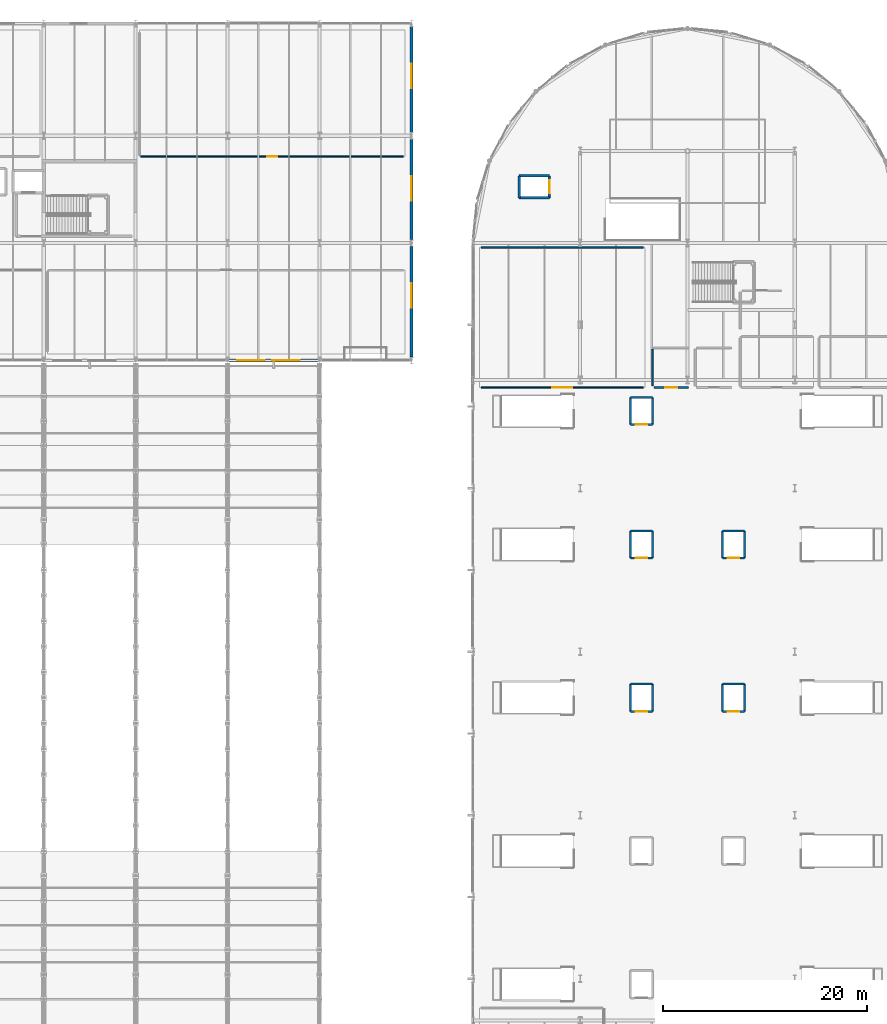
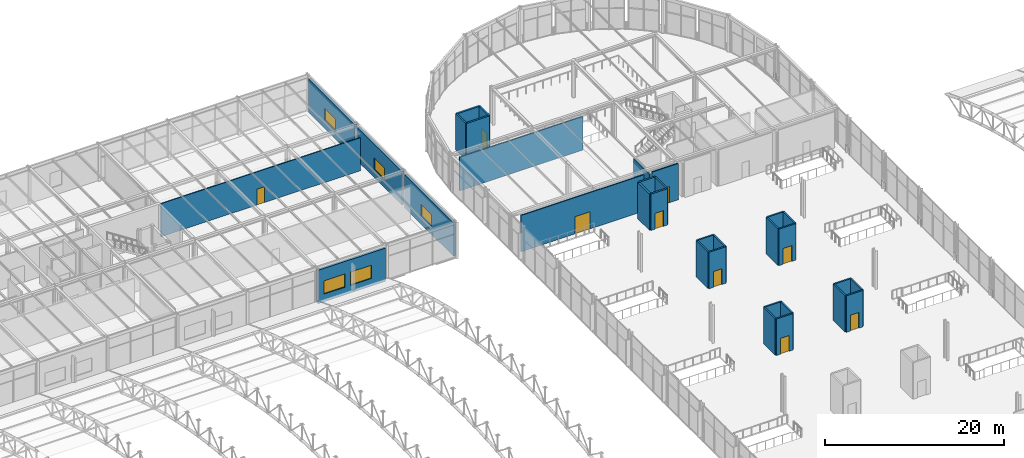
# One storey, part 111 of 195: 33 walls, 9 doors, 5 windows, 14 openings.
"""IFC4 building model written with IfcOpenShell, lengths in metres."""

from ifc_helpers import new_model, si_unit, direction, frame, frame_2d, origin, place, context, subcontext, project, spatial, rectangle, extrude, material, layer, layer_set, type_object, element, fill, save


model = new_model("IFC4")

# Units and contexts
model_context = context("Model", 3, precision=1e-05, world=origin(), true_north=direction((0.0, 1.0)))
body_context = subcontext(model_context, "Body", "Model", "MODEL_VIEW")
ifc_project = project(units=[si_unit("LENGTHUNIT", "METRE"), si_unit("AREAUNIT", "SQUARE_METRE"), si_unit("VOLUMEUNIT", "CUBIC_METRE"), si_unit("PLANEANGLEUNIT", "RADIAN"), si_unit("MASSUNIT", "GRAM", prefix="KILO")], contexts=[model_context])

# Site, building, storey
site_placement = place(None, origin())
site = spatial("IfcSite", under=ifc_project, at=site_placement, CompositionType="ELEMENT")
building_placement = place(site_placement, origin())
building = spatial("IfcBuilding", under=site, at=building_placement, Name="Marlcrest Central Station", CompositionType="ELEMENT")
storey_placement = place(building_placement, frame((0.0, 0.0, 9.800048828125)))
storey = spatial("IfcBuildingStorey", under=building, at=storey_placement, Name="L02", CompositionType="ELEMENT", Elevation=9.800048828125)

# Wall, openings, windows
ifc_material_1 = material(Name="Concrete C40/50", Category="concrete")
ifc_layer_1 = layer(ifc_material_1, 0.2900390625, Name="EW-02")
ifc_layer_set_1 = layer_set([ifc_layer_1], Name="Concrete C40/50")
wall_type_1 = type_object("IfcWallType", Name="EW-02", PredefinedType="SOLIDWALL", material=ifc_layer_set_1)
wall_1_placement = place(storey_placement, frame((71.85009765625, 99.0, 0.0), z_axis=(0.0, 0.0, 1.0), x_axis=(-1.0, 0.0, 0.0)))
wall_1 = element("IfcWall", 1, at=wall_1_placement, inside=storey, type_object=wall_type_1, Name="ewall-L02-0141", PredefinedType="SOLIDWALL", context=body_context, shape_type="SweptSolid", body=[
    extrude(rectangle(XDim=8.7001953125, YDim=0.2900390625, at=frame_2d((4.35009765625, 0.0))), origin(), (0.0, 0.0, 1.0), 4.550048828125),
])
opening_1_placement = place(wall_1_placement, frame((1.800048828125, 0.0, 1.050048828125)))
opening_1 = element("IfcOpeningElement", 2, at=opening_1_placement, cuts=wall_1, Name="Opening WN-06", PredefinedType="OPENING", context=body_context, shape_type="SweptSolid", body=[
    extrude(rectangle(XDim=2.699951171875, YDim=1.800048828125, at=frame_2d((1.35009765625, 0.89990234375))), frame((0.0, 0.155029296875, 0.0), z_axis=(0.0, -1.0, 0.0), x_axis=(1.0, 0.0, 0.0)), (0.0, 0.0, 1.0), 0.31005859375),
])
opening_2_placement = place(wall_1_placement, frame((5.199951171875, 0.0, 1.050048828125)))
opening_2 = element("IfcOpeningElement", 3, at=opening_2_placement, cuts=wall_1, Name="Opening WN-06", PredefinedType="OPENING", context=body_context, shape_type="SweptSolid", body=[
    extrude(rectangle(XDim=2.699951171875, YDim=1.800048828125, at=frame_2d((1.35009765625, 0.89990234375))), frame((0.0, 0.155029296875, 0.0), z_axis=(0.0, -1.0, 0.0), x_axis=(1.0, 0.0, 0.0)), (0.0, 0.0, 1.0), 0.31005859375),
])
ifc_material_2 = material(Name="Thermally broken bronze-anodised aluminium and laminated low-E glass", Category="aluminium")
window_type_1 = type_object("IfcWindowType", Name="WN-06", PartitioningType="SINGLE_PANEL", PredefinedType="WINDOW", material=ifc_material_2)
window_1_placement = place(opening_1_placement, origin())
window_1 = element("IfcWindow", 4, at=window_1_placement, inside=storey, type_object=window_type_1, Name="ewin-L02-0097", OverallHeight=1.800048828125, OverallWidth=2.699951171875, PartitioningType="SINGLE_PANEL", PredefinedType="WINDOW", context=body_context, shape_type="SweptSolid", body=[
    extrude(rectangle(XDim=2.699951171875, YDim=1.800048828125, at=frame_2d((1.35009765625, 0.89990234375))), frame((0.0, 0.030029296875, 0.0), z_axis=(0.0, -1.0, 0.0), x_axis=(1.0, 0.0, 0.0)), (0.0, 0.0, 1.0), 0.06005859375),
])
fill(opening_1, window_1)
window_2_placement = place(opening_2_placement, origin())
window_2 = element("IfcWindow", 5, at=window_2_placement, inside=storey, type_object=window_type_1, Name="ewin-L02-0098", OverallHeight=1.800048828125, OverallWidth=2.699951171875, PartitioningType="SINGLE_PANEL", PredefinedType="WINDOW", context=body_context, shape_type="SweptSolid", body=[
    extrude(rectangle(XDim=2.699951171875, YDim=1.800048828125, at=frame_2d((1.35009765625, 0.89990234375))), frame((0.0, 0.030029296875, 0.0), z_axis=(0.0, -1.0, 0.0), x_axis=(1.0, 0.0, 0.0)), (0.0, 0.0, 1.0), 0.06005859375),
])
fill(opening_2, window_2)

# Wall, opening, window
wall_2_placement = place(storey_placement, frame((81.0, 110.175048828125, 0.0), z_axis=(0.0, 0.0, 1.0), x_axis=(0.0, -1.0, 0.0)))
wall_2 = element("IfcWall", 6, at=wall_2_placement, inside=storey, type_object=wall_type_1, Name="ewall-L02-0145", PredefinedType="SOLIDWALL", context=body_context, shape_type="SweptSolid", body=[
    extrude(rectangle(XDim=10.85009765625, YDim=0.2900390625, at=frame_2d((5.425048828125, 0.0))), origin(), (0.0, 0.0, 1.0), 4.550048828125),
])
opening_3_placement = place(wall_2_placement, frame((3.625, 0.0, 1.10009765625)))
opening_3 = element("IfcOpeningElement", 7, at=opening_3_placement, cuts=wall_2, Name="Opening WN-02", PredefinedType="OPENING", context=body_context, shape_type="SweptSolid", body=[
    extrude(rectangle(XDim=2.39990234375, YDim=1.60009765625, at=frame_2d((1.199951171875, 0.800048828125))), frame((0.0, 0.155029296875, 0.0), z_axis=(0.0, -1.0, 0.0), x_axis=(1.0, 0.0, 0.0)), (0.0, 0.0, 1.0), 0.31005859375),
])
window_type_2 = type_object("IfcWindowType", Name="WN-02", PartitioningType="SINGLE_PANEL", PredefinedType="WINDOW", material=ifc_material_2)
window_3_placement = place(opening_3_placement, origin())
window_3 = element("IfcWindow", 8, at=window_3_placement, inside=storey, type_object=window_type_2, Name="ewin-L02-0101", OverallHeight=1.60009765625, OverallWidth=2.39990234375, PartitioningType="SINGLE_PANEL", PredefinedType="WINDOW", context=body_context, shape_type="SweptSolid", body=[
    extrude(rectangle(XDim=2.39990234375, YDim=1.60009765625, at=frame_2d((1.199951171875, 0.800048828125))), frame((0.0, 0.030029296875, 0.0), z_axis=(0.0, -1.0, 0.0), x_axis=(1.0, 0.0, 0.0)), (0.0, 0.0, 1.0), 0.06005859375),
])
fill(opening_3, window_3)

wall_3_placement = place(storey_placement, frame((81.0, 120.675048828125, 0.0), z_axis=(0.0, 0.0, 1.0), x_axis=(0.0, -1.0, 0.0)))
wall_3 = element("IfcWall", 9, at=wall_3_placement, inside=storey, type_object=wall_type_1, Name="ewall-L02-0146", PredefinedType="SOLIDWALL", context=body_context, shape_type="SweptSolid", body=[
    extrude(rectangle(XDim=9.85009765625, YDim=0.2900390625, at=frame_2d((4.925048828125, 0.0))), origin(), (0.0, 0.0, 1.0), 4.550048828125),
])
opening_4_placement = place(wall_3_placement, frame((3.625, 0.0, 1.10009765625)))
opening_4 = element("IfcOpeningElement", 10, at=opening_4_placement, cuts=wall_3, Name="Opening WN-02", PredefinedType="OPENING", context=body_context, shape_type="SweptSolid", body=[
    extrude(rectangle(XDim=2.39990234375, YDim=1.60009765625, at=frame_2d((1.199951171875, 0.800048828125))), frame((0.0, 0.155029296875, 0.0), z_axis=(0.0, -1.0, 0.0), x_axis=(1.0, 0.0, 0.0)), (0.0, 0.0, 1.0), 0.31005859375),
])
window_4_placement = place(opening_4_placement, origin())
window_4 = element("IfcWindow", 11, at=window_4_placement, inside=storey, type_object=window_type_2, Name="ewin-L02-0102", OverallHeight=1.60009765625, OverallWidth=2.39990234375, PartitioningType="SINGLE_PANEL", PredefinedType="WINDOW", context=body_context, shape_type="SweptSolid", body=[
    extrude(rectangle(XDim=2.39990234375, YDim=1.60009765625, at=frame_2d((1.199951171875, 0.800048828125))), frame((0.0, 0.030029296875, 0.0), z_axis=(0.0, -1.0, 0.0), x_axis=(1.0, 0.0, 0.0)), (0.0, 0.0, 1.0), 0.06005859375),
])
fill(opening_4, window_4)

wall_4_placement = place(storey_placement, frame((81.0, 131.675048828125, 0.0), z_axis=(0.0, 0.0, 1.0), x_axis=(0.0, -1.0, 0.0)))
wall_4 = element("IfcWall", 12, at=wall_4_placement, inside=storey, type_object=wall_type_1, Name="ewall-L02-0147", PredefinedType="SOLIDWALL", context=body_context, shape_type="SweptSolid", body=[
    extrude(rectangle(XDim=10.35009765625, YDim=0.2900390625, at=frame_2d((5.175048828125, 0.0))), origin(), (0.0, 0.0, 1.0), 4.550048828125),
])
opening_5_placement = place(wall_4_placement, frame((3.625, 0.0, 1.10009765625)))
opening_5 = element("IfcOpeningElement", 13, at=opening_5_placement, cuts=wall_4, Name="Opening WN-02", PredefinedType="OPENING", context=body_context, shape_type="SweptSolid", body=[
    extrude(rectangle(XDim=2.39990234375, YDim=1.60009765625, at=frame_2d((1.199951171875, 0.800048828125))), frame((0.0, 0.155029296875, 0.0), z_axis=(0.0, -1.0, 0.0), x_axis=(1.0, 0.0, 0.0)), (0.0, 0.0, 1.0), 0.31005859375),
])
window_5_placement = place(opening_5_placement, origin())
window_5 = element("IfcWindow", 14, at=window_5_placement, inside=storey, type_object=window_type_2, Name="ewin-L02-0103", OverallHeight=1.60009765625, OverallWidth=2.39990234375, PartitioningType="SINGLE_PANEL", PredefinedType="WINDOW", context=body_context, shape_type="SweptSolid", body=[
    extrude(rectangle(XDim=2.39990234375, YDim=1.60009765625, at=frame_2d((1.199951171875, 0.800048828125))), frame((0.0, 0.030029296875, 0.0), z_axis=(0.0, -1.0, 0.0), x_axis=(1.0, 0.0, 0.0)), (0.0, 0.0, 1.0), 0.06005859375),
])
fill(opening_5, window_5)

# Wall, opening, door
ifc_material_3 = material(Name="Acoustic steel-stud gypsum board partition", Category="steel")
ifc_layer_2 = layer(ifc_material_3, 0.1201171875, Name="PT-01")
ifc_layer_set_2 = layer_set([ifc_layer_2], Name="Acoustic steel-stud gypsum board partition")
wall_type_2 = type_object("IfcWallType", Name="PT-01", PredefinedType="PARTITIONING", material=ifc_layer_set_2)
wall_5_placement = place(storey_placement, frame((80.18994140625, 118.9599609375, 0.0), z_axis=(0.0, 0.0, 1.0), x_axis=(-1.0, 0.0, 0.0)))
wall_5 = element("IfcWall", 15, at=wall_5_placement, inside=storey, type_object=wall_type_2, Name="iwall-L02-00152", PredefinedType="PARTITIONING", context=body_context, shape_type="SweptSolid", body=[
    extrude(rectangle(XDim=25.679931640625, YDim=0.1201171875, at=frame_2d((12.83984375, 0.0))), origin(), (0.0, 0.0, 1.0), 4.5048828125),
])
opening_6_placement = place(wall_5_placement, frame((12.340087890625, 0.0, 0.0)))
opening_6 = element("IfcOpeningElement", 16, at=opening_6_placement, cuts=wall_5, Name="Opening ID-02", PredefinedType="OPENING", context=body_context, shape_type="SweptSolid", body=[
    extrude(rectangle(XDim=1.0, YDim=2.14990234375, at=frame_2d((0.5, 1.074951171875))), frame((0.0, 0.070068359375, 0.0), z_axis=(0.0, -1.0, 0.0), x_axis=(1.0, 0.0, 0.0)), (0.0, 0.0, 1.0), 0.14013671875),
])
ifc_material_4 = material(Name="Solid-core hardwood office door", Category="wood")
door_type_1 = type_object("IfcDoorType", Name="ID-02", OperationType="NOTDEFINED", PredefinedType="DOOR", material=ifc_material_4)
door_1_placement = place(opening_6_placement, origin())
door_1 = element("IfcDoor", 17, at=door_1_placement, inside=storey, type_object=door_type_1, Name="L02-V5F 0087", OperationType="SINGLE_SWING_LEFT", OverallHeight=2.14990234375, OverallWidth=1.0, PredefinedType="DOOR", context=body_context, shape_type="SweptSolid", body=[
    extrude(rectangle(XDim=1.0, YDim=2.14990234375, at=frame_2d((0.5, 1.074951171875))), frame((0.0, 0.02490234375, 0.0), z_axis=(0.0, -1.0, 0.0), x_axis=(1.0, 0.0, 0.0)), (0.0, 0.0, 1.0), 0.050048828125),
])
fill(opening_6, door_1)

ifc_material_5 = material(Name="Acoustic double-stud partition")
ifc_layer_3 = layer(ifc_material_5, 0.139892578125, Name="PT-02")
ifc_layer_set_3 = layer_set([ifc_layer_3], Name="Acoustic double-stud partition")
wall_type_3 = type_object("IfcWallType", Name="PT-02", PredefinedType="PARTITIONING", material=ifc_layer_set_3)
wall_6_placement = place(storey_placement, frame((103.68994140625, 96.360107421875, 0.0), z_axis=(0.0, 0.0, 1.0), x_axis=(-1.0, 0.0, 0.0)))
wall_6 = element("IfcWall", 18, at=wall_6_placement, inside=storey, type_object=wall_type_3, Name="iwall-L02-00118", PredefinedType="PARTITIONING", context=body_context, shape_type="SweptSolid", body=[
    extrude(rectangle(XDim=15.8798828125, YDim=0.139892578125, at=frame_2d((7.93994140625, 0.0))), origin(), (0.0, 0.0, 1.0), 4.949951171875),
])
opening_7_placement = place(wall_6_placement, frame((6.965087890625, 0.0, 0.0)))
opening_7 = element("IfcOpeningElement", 19, at=opening_7_placement, cuts=wall_6, Name="Opening ID-11", PredefinedType="OPENING", context=body_context, shape_type="SweptSolid", body=[
    extrude(rectangle(XDim=1.949951171875, YDim=2.35009765625, at=frame_2d((0.97509765625, 1.175048828125))), frame((0.0, 0.079833984375, 0.0), z_axis=(0.0, -1.0, 0.0), x_axis=(1.0, 0.0, 0.0)), (0.0, 0.0, 1.0), 0.159912109375),
])
ifc_material_6 = material(Name="Double waiting lounge glazed door")
door_type_2 = type_object("IfcDoorType", Name="ID-11", OperationType="DOUBLE_DOOR_SINGLE_SWING", PredefinedType="DOOR", material=ifc_material_6)
door_2_placement = place(opening_7_placement, origin())
door_2 = element("IfcDoor", 20, at=door_2_placement, inside=storey, type_object=door_type_2, Name="L02-V2D 0070", OperationType="DOUBLE_DOOR_SINGLE_SWING", OverallHeight=2.35009765625, OverallWidth=1.949951171875, PredefinedType="DOOR", context=body_context, shape_type="SweptSolid", body=[
    extrude(rectangle(XDim=1.949951171875, YDim=2.35009765625, at=frame_2d((0.97509765625, 1.175048828125))), frame((0.0, 0.02490234375, 0.0), z_axis=(0.0, -1.0, 0.0), x_axis=(1.0, 0.0, 0.0)), (0.0, 0.0, 1.0), 0.050048828125),
])
fill(opening_7, door_2)

# Wall
wall_7_placement = place(storey_placement, frame((87.81005859375, 110.0400390625, 0.0), z_axis=(0.0, 0.0, 1.0), x_axis=(1.0, 0.0, 0.0)))
element("IfcWall", 21, at=wall_7_placement, inside=storey, type_object=wall_type_3, Name="iwall-L02-00119", PredefinedType="PARTITIONING", context=body_context, shape_type="SweptSolid", body=[
    extrude(rectangle(XDim=15.8798828125, YDim=0.139892578125, at=frame_2d((7.93994140625, 0.0))), origin(), (0.0, 0.0, 1.0), 4.574951171875),
])

# Wall, opening, door
ifc_material_7 = material(Name="Moisture-resistant tiled sanitary partition")
ifc_layer_4 = layer(ifc_material_7, 0.159912109375, Name="PT-03")
ifc_layer_set_4 = layer_set([ifc_layer_4], Name="Moisture-resistant tiled sanitary partition")
wall_type_4 = type_object("IfcWallType", Name="PT-03", PredefinedType="PARTITIONING", material=ifc_layer_set_4)
wall_8_placement = place(storey_placement, frame((108.090087890625, 96.360107421875, 0.0), z_axis=(0.0, 0.0, 1.0), x_axis=(-1.0, 0.0, 0.0)))
wall_8 = element("IfcWall", 22, at=wall_8_placement, inside=storey, type_object=wall_type_4, Name="iwall-L02-00120", PredefinedType="PARTITIONING", context=body_context, shape_type="SweptSolid", body=[
    extrude(rectangle(XDim=3.380126953125, YDim=0.159912109375, at=frame_2d((1.68994140625, 0.0))), origin(), (0.0, 0.0, 1.0), 4.949951171875),
])
opening_8_placement = place(wall_8_placement, frame((1.114990234375, 0.0, 0.0)))
opening_8 = element("IfcOpeningElement", 23, at=opening_8_placement, cuts=wall_8, Name="Opening ID-04", PredefinedType="OPENING", context=body_context, shape_type="SweptSolid", body=[
    extrude(rectangle(XDim=1.14990234375, YDim=2.199951171875, at=frame_2d((0.574951171875, 1.10009765625))), frame((0.0, 0.08984375, 0.0), z_axis=(0.0, -1.0, 0.0), x_axis=(1.0, 0.0, 0.0)), (0.0, 0.0, 1.0), 0.179931640625),
])
ifc_material_8 = material(Name="Changing Places wide accessible door")
door_type_3 = type_object("IfcDoorType", Name="ID-04", OperationType="NOTDEFINED", PredefinedType="DOOR", material=ifc_material_8)
door_3_placement = place(opening_8_placement, origin())
door_3 = element("IfcDoor", 24, at=door_3_placement, inside=storey, type_object=door_type_3, Name="L02-CPW 0071", OperationType="SINGLE_SWING_RIGHT", OverallHeight=2.199951171875, OverallWidth=1.14990234375, PredefinedType="DOOR", context=body_context, shape_type="SweptSolid", body=[
    extrude(rectangle(XDim=1.14990234375, YDim=2.199951171875, at=frame_2d((0.574951171875, 1.10009765625))), frame((0.0, 0.02490234375, 0.0), z_axis=(0.0, -1.0, 0.0), x_axis=(1.0, 0.0, 0.0)), (0.0, 0.0, 1.0), 0.050048828125),
])
fill(opening_8, door_3)

# Walls
wall_9_placement = place(storey_placement, frame((104.56005859375, 96.510009765625, 0.0), z_axis=(0.0, 0.0, 1.0), x_axis=(0.0, 1.0, 0.0)))
element("IfcWall", 25, at=wall_9_placement, inside=storey, type_object=wall_type_4, Name="iwall-L02-00121", PredefinedType="PARTITIONING", context=body_context, shape_type="SweptSolid", body=[
    extrude(rectangle(XDim=3.580078125, YDim=0.159912109375, at=frame_2d((1.7900390625, 0.0))), origin(), (0.0, 0.0, 1.0), 4.574951171875),
])
ifc_layer_5 = layer(ifc_material_1, 0.22998046875, Name="SHW-01")
ifc_layer_set_5 = layer_set([ifc_layer_5], Name="Concrete C40/50")
wall_type_5 = type_object("IfcWallType", Name="SHW-01", PredefinedType="SOLIDWALL", material=ifc_layer_set_5)
for number, where, z_axis, x_axis, name in (
    (26, (91.52001953125, 117.080078125, 0.0), (0.0, 0.0, 1.0), (1.0, 0.0, 0.0), "iwall-L02-00307"),
    (27, (94.47998046875, 114.919921875, 0.0), (0.0, 0.0, 1.0), (-1.0, 0.0, 0.0), "iwall-L02-00308"),
):
    element("IfcWall", number, at=place(storey_placement, frame(where, z_axis=z_axis, x_axis=x_axis)), inside=storey, type_object=wall_type_5, Name=name, PredefinedType="SOLIDWALL", context=body_context, shape_type="SweptSolid", body=[
        extrude(rectangle(XDim=2.9599609375, YDim=0.22998046875, at=frame_2d((1.47998046875, 0.0))), origin(), (0.0, 0.0, 1.0), 4.9599609375),
    ])
wall_10_placement = place(storey_placement, frame((91.52001953125, 114.919921875, 0.0), z_axis=(0.0, 0.0, 1.0), x_axis=(0.0, 1.0, 0.0)))
element("IfcWall", 28, at=wall_10_placement, inside=storey, type_object=wall_type_5, Name="iwall-L02-00309", PredefinedType="SOLIDWALL", context=body_context, shape_type="SweptSolid", body=[
    extrude(rectangle(XDim=2.16015625, YDim=0.22998046875, at=frame_2d((1.080078125, 0.0))), origin(), (0.0, 0.0, 1.0), 4.9599609375),
])

# Wall, opening, door
wall_11_placement = place(storey_placement, frame((94.47998046875, 117.080078125, 0.0), z_axis=(0.0, 0.0, 1.0), x_axis=(0.0, -1.0, 0.0)))
wall_11 = element("IfcWall", 29, at=wall_11_placement, inside=storey, type_object=wall_type_5, Name="iwall-L02-00310", PredefinedType="SOLIDWALL", context=body_context, shape_type="SweptSolid", body=[
    extrude(rectangle(XDim=2.16015625, YDim=0.22998046875, at=frame_2d((1.080078125, 0.0))), origin(), (0.0, 0.0, 1.0), 4.9599609375),
])
opening_9_placement = place(wall_11_placement, frame((0.455078125, 0.0, 0.0)))
opening_9 = element("IfcOpeningElement", 30, at=opening_9_placement, cuts=wall_11, Name="Opening LD-02", PredefinedType="OPENING", context=body_context, shape_type="SweptSolid", body=[
    extrude(rectangle(XDim=1.25, YDim=2.199951171875, at=frame_2d((0.625, 1.10009765625))), frame((0.0, 0.125, 0.0), z_axis=(0.0, -1.0, 0.0), x_axis=(1.0, 0.0, 0.0)), (0.0, 0.0, 1.0), 0.25),
])
ifc_material_9 = material(Name="Stainless steel stretcher/firefighting lift landing door", Category="steel")
door_type_4 = type_object("IfcDoorType", Name="LD-02", OperationType="DOUBLE_DOOR_SLIDING", PredefinedType="DOOR", material=ifc_material_9)
door_4_placement = place(opening_9_placement, origin())
door_4 = element("IfcDoor", 31, at=door_4_placement, inside=storey, type_object=door_type_4, Name="LF-C2 Lift Landing Door 0147", OperationType="DOUBLE_DOOR_SLIDING", OverallHeight=2.199951171875, OverallWidth=1.25, PredefinedType="DOOR", context=body_context, shape_type="SweptSolid", body=[
    extrude(rectangle(XDim=1.25, YDim=2.199951171875, at=frame_2d((0.625, 1.10009765625))), frame((0.0, 0.02490234375, 0.0), z_axis=(0.0, -1.0, 0.0), x_axis=(1.0, 0.0, 0.0)), (0.0, 0.0, 1.0), 0.050048828125),
])
fill(opening_9, door_4)

# Wall
ifc_material_10 = material(Name="Concrete C35/45", Category="concrete")
ifc_layer_6 = layer(ifc_material_10, 0.205078125, Name="SHW-03")
ifc_layer_set_6 = layer_set([ifc_layer_6], Name="Concrete C35/45")
wall_type_6 = type_object("IfcWallType", Name="SHW-03", PredefinedType="SOLIDWALL", material=ifc_layer_set_6)
wall_12_placement = place(storey_placement, frame((102.419921875, 67.330078125, 0.0), z_axis=(0.0, 0.0, 1.0), x_axis=(1.0, 0.0, 0.0)))
element("IfcWall", 32, at=wall_12_placement, inside=storey, type_object=wall_type_6, Name="iwall-L02-00251", PredefinedType="SOLIDWALL", context=body_context, shape_type="SweptSolid", body=[
    extrude(rectangle(XDim=2.16015625, YDim=0.205078125, at=frame_2d((1.080078125, 0.0))), origin(), (0.0, 0.0, 1.0), 4.9599609375),
])

# Wall, opening, door
wall_13_placement = place(storey_placement, frame((104.580078125, 64.669921875, 0.0), z_axis=(0.0, 0.0, 1.0), x_axis=(-1.0, 0.0, 0.0)))
wall_13 = element("IfcWall", 33, at=wall_13_placement, inside=storey, type_object=wall_type_6, Name="iwall-L02-00252", PredefinedType="SOLIDWALL", context=body_context, shape_type="SweptSolid", body=[
    extrude(rectangle(XDim=2.16015625, YDim=0.205078125, at=frame_2d((1.080078125, 0.0))), origin(), (0.0, 0.0, 1.0), 4.9599609375),
])
opening_10_placement = place(wall_13_placement, frame((0.530029296875, 0.0, 0.0)))
opening_10 = element("IfcOpeningElement", 34, at=opening_10_placement, cuts=wall_13, Name="Opening LD-01", PredefinedType="OPENING", context=body_context, shape_type="SweptSolid", body=[
    extrude(rectangle(XDim=1.10009765625, YDim=2.14990234375, at=frame_2d((0.550048828125, 1.074951171875))), frame((0.0, 0.112548828125, 0.0), z_axis=(0.0, -1.0, 0.0), x_axis=(1.0, 0.0, 0.0)), (0.0, 0.0, 1.0), 0.22509765625),
])
ifc_material_11 = material(Name="Stainless steel sliding passenger lift landing door", Category="steel")
door_type_5 = type_object("IfcDoorType", Name="LD-01", OperationType="DOUBLE_DOOR_SLIDING", PredefinedType="DOOR", material=ifc_material_11)
door_5_placement = place(opening_10_placement, origin())
door_5 = element("IfcDoor", 35, at=door_5_placement, inside=storey, type_object=door_type_5, Name="LF-P4 Lift Landing Door 0133", OperationType="DOUBLE_DOOR_SLIDING", OverallHeight=2.14990234375, OverallWidth=1.10009765625, PredefinedType="DOOR", context=body_context, shape_type="SweptSolid", body=[
    extrude(rectangle(XDim=1.10009765625, YDim=2.14990234375, at=frame_2d((0.550048828125, 1.074951171875))), frame((0.0, 0.02490234375, 0.0), z_axis=(0.0, -1.0, 0.0), x_axis=(1.0, 0.0, 0.0)), (0.0, 0.0, 1.0), 0.050048828125),
])
fill(opening_10, door_5)

# Walls
for number, where, z_axis, x_axis, name in (
    (36, (102.419921875, 64.669921875, 0.0), (0.0, 0.0, 1.0), (0.0, 1.0, 0.0), "iwall-L02-00253"),
    (37, (104.580078125, 67.330078125, 0.0), (0.0, 0.0, 1.0), (0.0, -1.0, 0.0), "iwall-L02-00254"),
):
    element("IfcWall", number, at=place(storey_placement, frame(where, z_axis=z_axis, x_axis=x_axis)), inside=storey, type_object=wall_type_6, Name=name, PredefinedType="SOLIDWALL", context=body_context, shape_type="SweptSolid", body=[
        extrude(rectangle(XDim=2.66015625, YDim=0.205078125, at=frame_2d((1.330078125, 0.0))), origin(), (0.0, 0.0, 1.0), 4.9599609375),
    ])
wall_14_placement = place(storey_placement, frame((111.419921875, 67.330078125, 0.0), z_axis=(0.0, 0.0, 1.0), x_axis=(1.0, 0.0, 0.0)))
element("IfcWall", 38, at=wall_14_placement, inside=storey, type_object=wall_type_6, Name="iwall-L02-00259", PredefinedType="SOLIDWALL", context=body_context, shape_type="SweptSolid", body=[
    extrude(rectangle(XDim=2.16015625, YDim=0.205078125, at=frame_2d((1.080078125, 0.0))), origin(), (0.0, 0.0, 1.0), 4.9599609375),
])

# Wall, opening, door
wall_15_placement = place(storey_placement, frame((113.580078125, 64.669921875, 0.0), z_axis=(0.0, 0.0, 1.0), x_axis=(-1.0, 0.0, 0.0)))
wall_15 = element("IfcWall", 39, at=wall_15_placement, inside=storey, type_object=wall_type_6, Name="iwall-L02-00260", PredefinedType="SOLIDWALL", context=body_context, shape_type="SweptSolid", body=[
    extrude(rectangle(XDim=2.16015625, YDim=0.205078125, at=frame_2d((1.080078125, 0.0))), origin(), (0.0, 0.0, 1.0), 4.9599609375),
])
opening_11_placement = place(wall_15_placement, frame((0.530029296875, 0.0, 0.0)))
opening_11 = element("IfcOpeningElement", 40, at=opening_11_placement, cuts=wall_15, Name="Opening LD-01", PredefinedType="OPENING", context=body_context, shape_type="SweptSolid", body=[
    extrude(rectangle(XDim=1.10009765625, YDim=2.14990234375, at=frame_2d((0.550048828125, 1.074951171875))), frame((0.0, 0.112548828125, 0.0), z_axis=(0.0, -1.0, 0.0), x_axis=(1.0, 0.0, 0.0)), (0.0, 0.0, 1.0), 0.22509765625),
])
door_6_placement = place(opening_11_placement, origin())
door_6 = element("IfcDoor", 41, at=door_6_placement, inside=storey, type_object=door_type_5, Name="LF-P5 Lift Landing Door 0135", OperationType="DOUBLE_DOOR_SLIDING", OverallHeight=2.14990234375, OverallWidth=1.10009765625, PredefinedType="DOOR", context=body_context, shape_type="SweptSolid", body=[
    extrude(rectangle(XDim=1.10009765625, YDim=2.14990234375, at=frame_2d((0.550048828125, 1.074951171875))), frame((0.0, 0.02490234375, 0.0), z_axis=(0.0, -1.0, 0.0), x_axis=(1.0, 0.0, 0.0)), (0.0, 0.0, 1.0), 0.050048828125),
])
fill(opening_11, door_6)

# Walls
for number, where, z_axis, x_axis, name in (
    (42, (111.419921875, 64.669921875, 0.0), (0.0, 0.0, 1.0), (0.0, 1.0, 0.0), "iwall-L02-00261"),
    (43, (113.580078125, 67.330078125, 0.0), (0.0, 0.0, 1.0), (0.0, -1.0, 0.0), "iwall-L02-00262"),
):
    element("IfcWall", number, at=place(storey_placement, frame(where, z_axis=z_axis, x_axis=x_axis)), inside=storey, type_object=wall_type_6, Name=name, PredefinedType="SOLIDWALL", context=body_context, shape_type="SweptSolid", body=[
        extrude(rectangle(XDim=2.66015625, YDim=0.205078125, at=frame_2d((1.330078125, 0.0))), origin(), (0.0, 0.0, 1.0), 4.9599609375),
    ])
wall_16_placement = place(storey_placement, frame((102.419921875, 82.330078125, 0.0), z_axis=(0.0, 0.0, 1.0), x_axis=(1.0, 0.0, 0.0)))
element("IfcWall", 44, at=wall_16_placement, inside=storey, type_object=wall_type_6, Name="iwall-L02-00267", PredefinedType="SOLIDWALL", context=body_context, shape_type="SweptSolid", body=[
    extrude(rectangle(XDim=2.16015625, YDim=0.205078125, at=frame_2d((1.080078125, 0.0))), origin(), (0.0, 0.0, 1.0), 4.9599609375),
])

# Wall, opening, door
wall_17_placement = place(storey_placement, frame((104.580078125, 79.669921875, 0.0), z_axis=(0.0, 0.0, 1.0), x_axis=(-1.0, 0.0, 0.0)))
wall_17 = element("IfcWall", 45, at=wall_17_placement, inside=storey, type_object=wall_type_6, Name="iwall-L02-00268", PredefinedType="SOLIDWALL", context=body_context, shape_type="SweptSolid", body=[
    extrude(rectangle(XDim=2.16015625, YDim=0.205078125, at=frame_2d((1.080078125, 0.0))), origin(), (0.0, 0.0, 1.0), 4.9599609375),
])
opening_12_placement = place(wall_17_placement, frame((0.530029296875, 0.0, 0.0)))
opening_12 = element("IfcOpeningElement", 46, at=opening_12_placement, cuts=wall_17, Name="Opening LD-01", PredefinedType="OPENING", context=body_context, shape_type="SweptSolid", body=[
    extrude(rectangle(XDim=1.10009765625, YDim=2.14990234375, at=frame_2d((0.550048828125, 1.074951171875))), frame((0.0, 0.112548828125, 0.0), z_axis=(0.0, -1.0, 0.0), x_axis=(1.0, 0.0, 0.0)), (0.0, 0.0, 1.0), 0.22509765625),
])
door_7_placement = place(opening_12_placement, origin())
door_7 = element("IfcDoor", 47, at=door_7_placement, inside=storey, type_object=door_type_5, Name="LF-P6 Lift Landing Door 0137", OperationType="DOUBLE_DOOR_SLIDING", OverallHeight=2.14990234375, OverallWidth=1.10009765625, PredefinedType="DOOR", context=body_context, shape_type="SweptSolid", body=[
    extrude(rectangle(XDim=1.10009765625, YDim=2.14990234375, at=frame_2d((0.550048828125, 1.074951171875))), frame((0.0, 0.02490234375, 0.0), z_axis=(0.0, -1.0, 0.0), x_axis=(1.0, 0.0, 0.0)), (0.0, 0.0, 1.0), 0.050048828125),
])
fill(opening_12, door_7)

# Walls
for number, where, z_axis, x_axis, name in (
    (48, (102.419921875, 79.669921875, 0.0), (0.0, 0.0, 1.0), (0.0, 1.0, 0.0), "iwall-L02-00269"),
    (49, (104.580078125, 82.330078125, 0.0), (0.0, 0.0, 1.0), (0.0, -1.0, 0.0), "iwall-L02-00270"),
):
    element("IfcWall", number, at=place(storey_placement, frame(where, z_axis=z_axis, x_axis=x_axis)), inside=storey, type_object=wall_type_6, Name=name, PredefinedType="SOLIDWALL", context=body_context, shape_type="SweptSolid", body=[
        extrude(rectangle(XDim=2.66015625, YDim=0.205078125, at=frame_2d((1.330078125, 0.0))), origin(), (0.0, 0.0, 1.0), 4.9599609375),
    ])
wall_18_placement = place(storey_placement, frame((111.419921875, 82.330078125, 0.0), z_axis=(0.0, 0.0, 1.0), x_axis=(1.0, 0.0, 0.0)))
element("IfcWall", 50, at=wall_18_placement, inside=storey, type_object=wall_type_6, Name="iwall-L02-00275", PredefinedType="SOLIDWALL", context=body_context, shape_type="SweptSolid", body=[
    extrude(rectangle(XDim=2.16015625, YDim=0.205078125, at=frame_2d((1.080078125, 0.0))), origin(), (0.0, 0.0, 1.0), 4.9599609375),
])

# Wall, opening, door
wall_19_placement = place(storey_placement, frame((113.580078125, 79.669921875, 0.0), z_axis=(0.0, 0.0, 1.0), x_axis=(-1.0, 0.0, 0.0)))
wall_19 = element("IfcWall", 51, at=wall_19_placement, inside=storey, type_object=wall_type_6, Name="iwall-L02-00276", PredefinedType="SOLIDWALL", context=body_context, shape_type="SweptSolid", body=[
    extrude(rectangle(XDim=2.16015625, YDim=0.205078125, at=frame_2d((1.080078125, 0.0))), origin(), (0.0, 0.0, 1.0), 4.9599609375),
])
opening_13_placement = place(wall_19_placement, frame((0.530029296875, 0.0, 0.0)))
opening_13 = element("IfcOpeningElement", 52, at=opening_13_placement, cuts=wall_19, Name="Opening LD-01", PredefinedType="OPENING", context=body_context, shape_type="SweptSolid", body=[
    extrude(rectangle(XDim=1.10009765625, YDim=2.14990234375, at=frame_2d((0.550048828125, 1.074951171875))), frame((0.0, 0.112548828125, 0.0), z_axis=(0.0, -1.0, 0.0), x_axis=(1.0, 0.0, 0.0)), (0.0, 0.0, 1.0), 0.22509765625),
])
door_8_placement = place(opening_13_placement, origin())
door_8 = element("IfcDoor", 53, at=door_8_placement, inside=storey, type_object=door_type_5, Name="LF-P7 Lift Landing Door 0139", OperationType="DOUBLE_DOOR_SLIDING", OverallHeight=2.14990234375, OverallWidth=1.10009765625, PredefinedType="DOOR", context=body_context, shape_type="SweptSolid", body=[
    extrude(rectangle(XDim=1.10009765625, YDim=2.14990234375, at=frame_2d((0.550048828125, 1.074951171875))), frame((0.0, 0.02490234375, 0.0), z_axis=(0.0, -1.0, 0.0), x_axis=(1.0, 0.0, 0.0)), (0.0, 0.0, 1.0), 0.050048828125),
])
fill(opening_13, door_8)

# Walls
for number, where, z_axis, x_axis, name in (
    (54, (111.419921875, 79.669921875, 0.0), (0.0, 0.0, 1.0), (0.0, 1.0, 0.0), "iwall-L02-00277"),
    (55, (113.580078125, 82.330078125, 0.0), (0.0, 0.0, 1.0), (0.0, -1.0, 0.0), "iwall-L02-00278"),
):
    element("IfcWall", number, at=place(storey_placement, frame(where, z_axis=z_axis, x_axis=x_axis)), inside=storey, type_object=wall_type_6, Name=name, PredefinedType="SOLIDWALL", context=body_context, shape_type="SweptSolid", body=[
        extrude(rectangle(XDim=2.66015625, YDim=0.205078125, at=frame_2d((1.330078125, 0.0))), origin(), (0.0, 0.0, 1.0), 4.9599609375),
    ])
wall_20_placement = place(storey_placement, frame((102.419921875, 95.3798828125, 0.0), z_axis=(0.0, 0.0, 1.0), x_axis=(1.0, 0.0, 0.0)))
element("IfcWall", 56, at=wall_20_placement, inside=storey, type_object=wall_type_6, Name="iwall-L02-00283", PredefinedType="SOLIDWALL", context=body_context, shape_type="SweptSolid", body=[
    extrude(rectangle(XDim=2.16015625, YDim=0.205078125, at=frame_2d((1.080078125, 0.0))), origin(), (0.0, 0.0, 1.0), 4.9599609375),
])

# Wall, opening, door
wall_21_placement = place(storey_placement, frame((104.580078125, 92.719970703125, 0.0), z_axis=(0.0, 0.0, 1.0), x_axis=(-1.0, 0.0, 0.0)))
wall_21 = element("IfcWall", 57, at=wall_21_placement, inside=storey, type_object=wall_type_6, Name="iwall-L02-00284", PredefinedType="SOLIDWALL", context=body_context, shape_type="SweptSolid", body=[
    extrude(rectangle(XDim=2.16015625, YDim=0.205078125, at=frame_2d((1.080078125, 0.0))), origin(), (0.0, 0.0, 1.0), 4.9599609375),
])
opening_14_placement = place(wall_21_placement, frame((0.530029296875, 0.0, 0.0)))
opening_14 = element("IfcOpeningElement", 58, at=opening_14_placement, cuts=wall_21, Name="Opening LD-01", PredefinedType="OPENING", context=body_context, shape_type="SweptSolid", body=[
    extrude(rectangle(XDim=1.10009765625, YDim=2.14990234375, at=frame_2d((0.550048828125, 1.074951171875))), frame((0.0, 0.112548828125, 0.0), z_axis=(0.0, -1.0, 0.0), x_axis=(1.0, 0.0, 0.0)), (0.0, 0.0, 1.0), 0.22509765625),
])
door_9_placement = place(opening_14_placement, origin())
door_9 = element("IfcDoor", 59, at=door_9_placement, inside=storey, type_object=door_type_5, Name="LF-P8 Lift Landing Door 0141", OperationType="DOUBLE_DOOR_SLIDING", OverallHeight=2.14990234375, OverallWidth=1.10009765625, PredefinedType="DOOR", context=body_context, shape_type="SweptSolid", body=[
    extrude(rectangle(XDim=1.10009765625, YDim=2.14990234375, at=frame_2d((0.550048828125, 1.074951171875))), frame((0.0, 0.02490234375, 0.0), z_axis=(0.0, -1.0, 0.0), x_axis=(1.0, 0.0, 0.0)), (0.0, 0.0, 1.0), 0.050048828125),
])
fill(opening_14, door_9)

# Walls
for number, where, z_axis, x_axis, name in (
    (60, (102.419921875, 92.719970703125, 0.0), (0.0, 0.0, 1.0), (0.0, 1.0, 0.0), "iwall-L02-00285"),
    (61, (104.580078125, 95.3798828125, 0.0), (0.0, 0.0, 1.0), (0.0, -1.0, 0.0), "iwall-L02-00286"),
):
    element("IfcWall", number, at=place(storey_placement, frame(where, z_axis=z_axis, x_axis=x_axis)), inside=storey, type_object=wall_type_6, Name=name, PredefinedType="SOLIDWALL", context=body_context, shape_type="SweptSolid", body=[
        extrude(rectangle(XDim=2.659912109375, YDim=0.205078125, at=frame_2d((1.330078125, 0.0))), origin(), (0.0, 0.0, 1.0), 4.9599609375),
    ])

save(model, "model.ifc")
